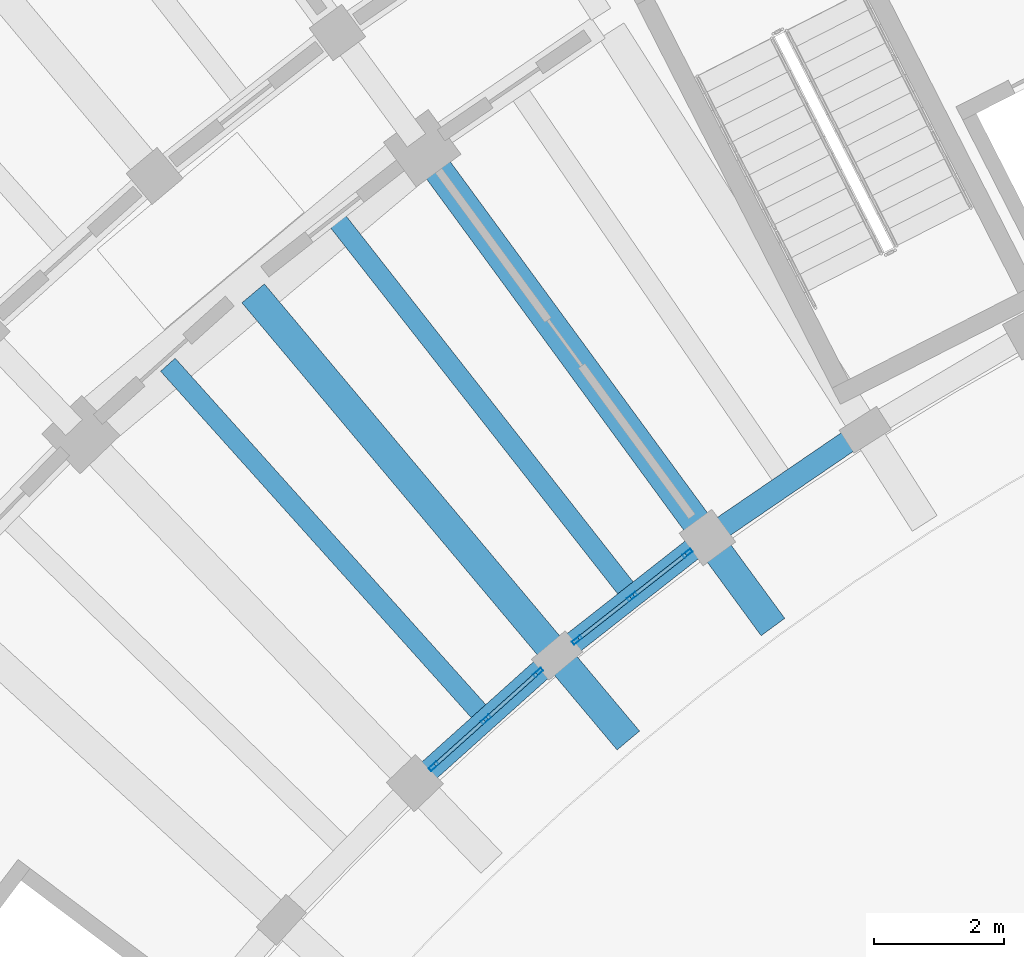
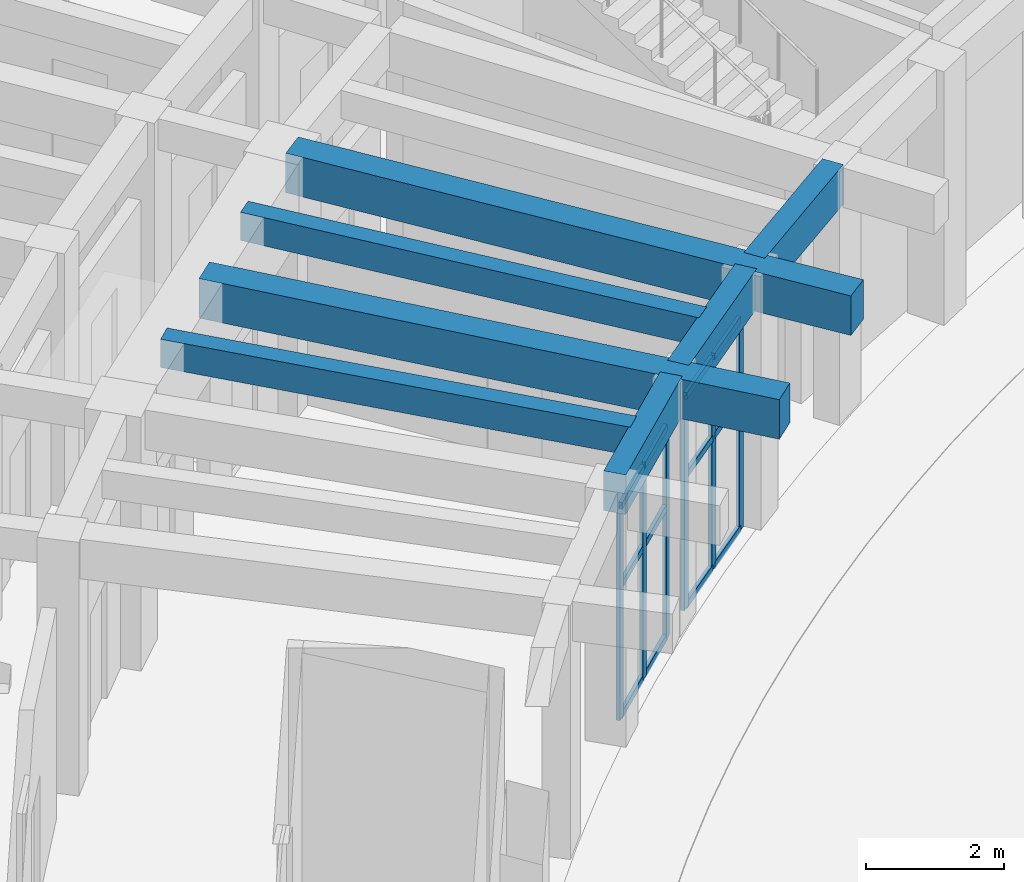
# One storey, part 39 of 132: 18 members, 7 beams, 2 elements without a shape of their own.
"""IFC4 building model written with IfcOpenShell, lengths in metres."""

from ifc_helpers import new_model, si_unit, direction, frame, origin, origin_2d, place, context, subcontext, project, spatial, rectangle, hollow_rectangle, extrude, material, material_profile, profile_set, type_object, element, aggregate, save


model = new_model("IFC4")

# Units and contexts
model_context = context("Model", 3, precision=1e-05, world=origin(), true_north=direction((0.0, 1.0)))
body_context = subcontext(model_context, "Body", "Model", "MODEL_VIEW")
ifc_project = project(units=[si_unit("LENGTHUNIT", "METRE"), si_unit("AREAUNIT", "SQUARE_METRE"), si_unit("VOLUMEUNIT", "CUBIC_METRE"), si_unit("PLANEANGLEUNIT", "RADIAN"), si_unit("MASSUNIT", "GRAM", prefix="KILO")], contexts=[model_context])

# Site, building, storey
site_placement = place(None, origin())
site = spatial("IfcSite", under=ifc_project, at=site_placement, CompositionType="ELEMENT")
building_placement = place(site_placement, origin())
building = spatial("IfcBuilding", under=site, at=building_placement, Name="Tanwirah Colonnade Gardens", CompositionType="ELEMENT")
storey_placement = place(building_placement, origin())
storey = spatial("IfcBuildingStorey", under=building, at=storey_placement, Name="L00", CompositionType="ELEMENT", Elevation=0.0)

# Beams
ifc_material_1 = material(Name="Precast concrete C45/55", Category="concrete")
ifc_material_profile_1 = material_profile(ifc_material_1, rectangle(XDim=0.449951171875, YDim=0.699951171875, at=origin_2d()), Name="PC-BM 450x700")
ifc_profile_set_1 = profile_set([ifc_material_profile_1], Name="Precast concrete C45/55")
beam_type_1 = type_object("IfcBeamType", Name="BM-PC450", PredefinedType="BEAM", material=ifc_profile_set_1)
for number, where, z_axis, x_axis, name in (
    (1, (34.449462890625, 101.907958984375, 4.135009765625), (0.590927205009, -0.806724883947, 0.0), (0.806724883947, 0.590927205009, 0.0), "Block A L00 Inner Radial Precast Girder 8"),
    (2, (31.767822265625, 99.804443359375, 4.135009765625), (0.64279407932, -0.766039014406, 0.0), (0.766039014406, 0.64279407932, 0.0), "Block A L00 Inner Radial Precast Girder 9"),
):
    element("IfcBeam", number, at=place(storey_placement, frame(where, z_axis=z_axis, x_axis=x_axis)), inside=storey, type_object=beam_type_1, Name=name, PredefinedType="BEAM", context=body_context, shape_type="SweptSolid", body=[
        extrude(rectangle(XDim=0.449951171875, YDim=0.699951171875, at=origin_2d()), origin(), (0.0, 0.0, 1.0), 8.949951171875),
    ])

# Curtain wall, members
ifc_material_2 = material(Name="Bronze-anodised aluminium and solar-control low-E glass", Category="aluminium")
curtain_wall_type = type_object("IfcCurtainWallType", Name="CW-GDN", PredefinedType="NOTDEFINED", material=ifc_material_2)
curtain_wall_1_placement = place(storey_placement, origin())
curtain_wall_1 = element("IfcCurtainWall", 3, at=curtain_wall_1_placement, inside=storey, type_object=curtain_wall_type, Name="Curtain Wall CW-A-L00-IN-08", PredefinedType="NOTDEFINED")
ifc_material_3 = material(Name="Bronze-anodised aluminium", Category="aluminium")
ifc_material_profile_2 = material_profile(ifc_material_3, hollow_rectangle(XDim=0.06005859375, YDim=0.159912109375, WallThickness=0.00390625, at=origin_2d()), Name="CW-MUL 60x160x4")
ifc_profile_set_2 = profile_set([ifc_material_profile_2], Name="Bronze-anodised aluminium")
member_type_1 = type_object("IfcMemberType", Name="CWM-60x160", PredefinedType="MULLION", material=ifc_profile_set_2)
member_1_placement = place(storey_placement, frame((38.4267578125, 95.818603515625, 0.0), z_axis=(0.0, 0.0, 1.0), x_axis=(0.617188542982, -0.786815291166, 0.0)))
member_1 = element("IfcMember", 4, at=member_1_placement, type_object=member_type_1, Name="CW-GDN mullion 1", PredefinedType="MULLION", context=body_context, shape_type="SweptSolid", body=[
    extrude(hollow_rectangle(XDim=0.06005859375, YDim=0.159912109375, WallThickness=0.00390625, at=origin_2d()), origin(), (0.0, 0.0, 1.0), 3.7548828125),
])
member_2_placement = place(storey_placement, frame((37.580810546875, 95.155029296875, 0.0), z_axis=(0.0, 0.0, 1.0), x_axis=(0.617188542982, -0.786815291166, 0.0)))
member_2 = element("IfcMember", 5, at=member_2_placement, type_object=member_type_1, Name="CW-GDN mullion 2", PredefinedType="MULLION", context=body_context, shape_type="SweptSolid", body=[
    extrude(hollow_rectangle(XDim=0.06005859375, YDim=0.159912109375, WallThickness=0.00390625, at=origin_2d()), origin(), (0.0, 0.0, 1.0), 3.7548828125),
])
member_3_placement = place(storey_placement, frame((36.73486328125, 94.491455078125, 0.0), z_axis=(0.0, 0.0, 1.0), x_axis=(0.617188542982, -0.786815291166, 0.0)))
member_3 = element("IfcMember", 6, at=member_3_placement, type_object=member_type_1, Name="CW-GDN mullion 3", PredefinedType="MULLION", context=body_context, shape_type="SweptSolid", body=[
    extrude(hollow_rectangle(XDim=0.06005859375, YDim=0.159912109375, WallThickness=0.00390625, at=origin_2d()), origin(), (0.0, 0.0, 1.0), 3.7548828125),
])

curtain_wall_2_placement = place(storey_placement, origin())
curtain_wall_2 = element("IfcCurtainWall", 7, at=curtain_wall_2_placement, inside=storey, type_object=curtain_wall_type, Name="Curtain Wall CW-A-L00-IN-09", PredefinedType="NOTDEFINED")
member_4_placement = place(storey_placement, frame((36.1376953125, 93.990234375, 0.0), z_axis=(0.0, 0.0, 1.0), x_axis=(0.667689182798, -0.744440162253, 0.0)))
member_4 = element("IfcMember", 8, at=member_4_placement, type_object=member_type_1, Name="CW-GDN mullion 1", PredefinedType="MULLION", context=body_context, shape_type="SweptSolid", body=[
    extrude(hollow_rectangle(XDim=0.06005859375, YDim=0.159912109375, WallThickness=0.00390625, at=origin_2d()), origin(), (0.0, 0.0, 1.0), 3.7548828125),
])
member_5_placement = place(storey_placement, frame((35.33740234375, 93.2724609375, 0.0), z_axis=(0.0, 0.0, 1.0), x_axis=(0.667689182798, -0.744440162253, 0.0)))
member_5 = element("IfcMember", 9, at=member_5_placement, type_object=member_type_1, Name="CW-GDN mullion 2", PredefinedType="MULLION", context=body_context, shape_type="SweptSolid", body=[
    extrude(hollow_rectangle(XDim=0.06005859375, YDim=0.159912109375, WallThickness=0.00390625, at=origin_2d()), origin(), (0.0, 0.0, 1.0), 3.7548828125),
])
member_6_placement = place(storey_placement, frame((34.537109375, 92.5546875, 0.0), z_axis=(0.0, 0.0, 1.0), x_axis=(0.667689182798, -0.744440162253, 0.0)))
member_6 = element("IfcMember", 10, at=member_6_placement, type_object=member_type_1, Name="CW-GDN mullion 3", PredefinedType="MULLION", context=body_context, shape_type="SweptSolid", body=[
    extrude(hollow_rectangle(XDim=0.06005859375, YDim=0.159912109375, WallThickness=0.00390625, at=origin_2d()), origin(), (0.0, 0.0, 1.0), 3.7548828125),
])

# Member
ifc_material_profile_3 = material_profile(ifc_material_3, hollow_rectangle(XDim=0.06005859375, YDim=0.1201171875, WallThickness=0.00390625, at=origin_2d()), Name="CW-TRN 60x120x4")
ifc_profile_set_3 = profile_set([ifc_material_profile_3], Name="Bronze-anodised aluminium")
member_type_2 = type_object("IfcMemberType", Name="CWT-60x120", PredefinedType="USERDEFINED", material=ifc_profile_set_3)
member_7_placement = place(storey_placement, frame((38.4033203125, 95.800048828125, 0.030029296875), z_axis=(-0.786768698357, -0.617247936639, 0.0), x_axis=(0.617247936639, -0.786768698357, 0.0)))
member_7 = element("IfcMember", 11, at=member_7_placement, type_object=member_type_2, Name="CW-GDN transom 1.1", ObjectType="TRANSOM", PredefinedType="USERDEFINED", context=body_context, shape_type="SweptSolid", body=[
    extrude(hollow_rectangle(XDim=0.06005859375, YDim=0.1201171875, WallThickness=0.00390625, at=origin_2d()), origin(), (0.0, 0.0, 1.0), 1.015380859375),
])

member_8_placement = place(storey_placement, frame((38.4033203125, 95.800048828125, 2.328125), z_axis=(-0.786768698357, -0.617247936639, 0.0), x_axis=(0.617247936639, -0.786768698357, 0.0)))
member_8 = element("IfcMember", 12, at=member_8_placement, type_object=member_type_2, Name="CW-GDN transom 1.2", ObjectType="TRANSOM", PredefinedType="USERDEFINED", context=body_context, shape_type="SweptSolid", body=[
    extrude(hollow_rectangle(XDim=0.06005859375, YDim=0.1201171875, WallThickness=0.00390625, at=origin_2d()), origin(), (0.0, 0.0, 1.0), 1.015380859375),
])

member_9_placement = place(storey_placement, frame((38.4033203125, 95.800048828125, 3.72509765625), z_axis=(-0.786768698357, -0.617247936639, 0.0), x_axis=(0.617247936639, -0.786768698357, 0.0)))
member_9 = element("IfcMember", 13, at=member_9_placement, type_object=member_type_2, Name="CW-GDN transom 1.3", ObjectType="TRANSOM", PredefinedType="USERDEFINED", context=body_context, shape_type="SweptSolid", body=[
    extrude(hollow_rectangle(XDim=0.06005859375, YDim=0.1201171875, WallThickness=0.00390625, at=origin_2d()), origin(), (0.0, 0.0, 1.0), 1.015380859375),
])

member_10_placement = place(storey_placement, frame((37.557373046875, 95.136474609375, 0.030029296875), z_axis=(-0.786885474084, -0.617099060666, 0.0), x_axis=(0.617099060666, -0.786885474084, 0.0)))
member_10 = element("IfcMember", 14, at=member_10_placement, type_object=member_type_2, Name="CW-GDN transom 2.1", ObjectType="TRANSOM", PredefinedType="USERDEFINED", context=body_context, shape_type="SweptSolid", body=[
    extrude(hollow_rectangle(XDim=0.06005859375, YDim=0.1201171875, WallThickness=0.00390625, at=origin_2d()), origin(), (0.0, 0.0, 1.0), 1.01513671875),
])

member_11_placement = place(storey_placement, frame((37.557373046875, 95.136474609375, 2.328125), z_axis=(-0.786885474084, -0.617099060666, 0.0), x_axis=(0.617099060666, -0.786885474084, 0.0)))
member_11 = element("IfcMember", 15, at=member_11_placement, type_object=member_type_2, Name="CW-GDN transom 2.2", ObjectType="TRANSOM", PredefinedType="USERDEFINED", context=body_context, shape_type="SweptSolid", body=[
    extrude(hollow_rectangle(XDim=0.06005859375, YDim=0.1201171875, WallThickness=0.00390625, at=origin_2d()), origin(), (0.0, 0.0, 1.0), 1.01513671875),
])

member_12_placement = place(storey_placement, frame((37.557373046875, 95.136474609375, 3.72509765625), z_axis=(-0.786885474084, -0.617099060666, 0.0), x_axis=(0.617099060666, -0.786885474084, 0.0)))
member_12 = element("IfcMember", 16, at=member_12_placement, type_object=member_type_2, Name="CW-GDN transom 2.3", ObjectType="TRANSOM", PredefinedType="USERDEFINED", context=body_context, shape_type="SweptSolid", body=[
    extrude(hollow_rectangle(XDim=0.06005859375, YDim=0.1201171875, WallThickness=0.00390625, at=origin_2d()), origin(), (0.0, 0.0, 1.0), 1.01513671875),
])

aggregate(curtain_wall_1, [member_1, member_2, member_3, member_7, member_8, member_9, member_10, member_11, member_12])

member_13_placement = place(storey_placement, frame((36.115478515625, 93.97021484375, 0.030029296875), z_axis=(-0.744536466411, -0.66758179288, 0.0), x_axis=(0.66758179288, -0.744536466411, 0.0)))
member_13 = element("IfcMember", 17, at=member_13_placement, type_object=member_type_2, Name="CW-GDN transom 1.1", ObjectType="TRANSOM", PredefinedType="USERDEFINED", context=body_context, shape_type="SweptSolid", body=[
    extrude(hollow_rectangle(XDim=0.06005859375, YDim=0.1201171875, WallThickness=0.00390625, at=origin_2d()), origin(), (0.0, 0.0, 1.0), 1.01513671875),
])

member_14_placement = place(storey_placement, frame((36.115478515625, 93.97021484375, 2.328125), z_axis=(-0.744536466411, -0.66758179288, 0.0), x_axis=(0.66758179288, -0.744536466411, 0.0)))
member_14 = element("IfcMember", 18, at=member_14_placement, type_object=member_type_2, Name="CW-GDN transom 1.2", ObjectType="TRANSOM", PredefinedType="USERDEFINED", context=body_context, shape_type="SweptSolid", body=[
    extrude(hollow_rectangle(XDim=0.06005859375, YDim=0.1201171875, WallThickness=0.00390625, at=origin_2d()), origin(), (0.0, 0.0, 1.0), 1.01513671875),
])

member_15_placement = place(storey_placement, frame((36.115478515625, 93.97021484375, 3.72509765625), z_axis=(-0.744536466411, -0.66758179288, 0.0), x_axis=(0.66758179288, -0.744536466411, 0.0)))
member_15 = element("IfcMember", 19, at=member_15_placement, type_object=member_type_2, Name="CW-GDN transom 1.3", ObjectType="TRANSOM", PredefinedType="USERDEFINED", context=body_context, shape_type="SweptSolid", body=[
    extrude(hollow_rectangle(XDim=0.06005859375, YDim=0.1201171875, WallThickness=0.00390625, at=origin_2d()), origin(), (0.0, 0.0, 1.0), 1.01513671875),
])

member_16_placement = place(storey_placement, frame((35.31494140625, 93.25244140625, 0.030029296875), z_axis=(-0.744429262498, -0.667701335281, 0.0), x_axis=(0.667701335281, -0.744429262498, 0.0)))
member_16 = element("IfcMember", 20, at=member_16_placement, type_object=member_type_2, Name="CW-GDN transom 2.1", ObjectType="TRANSOM", PredefinedType="USERDEFINED", context=body_context, shape_type="SweptSolid", body=[
    extrude(hollow_rectangle(XDim=0.06005859375, YDim=0.1201171875, WallThickness=0.00390625, at=origin_2d()), origin(), (0.0, 0.0, 1.0), 1.01513671875),
])

member_17_placement = place(storey_placement, frame((35.31494140625, 93.25244140625, 2.328125), z_axis=(-0.744429262498, -0.667701335281, 0.0), x_axis=(0.667701335281, -0.744429262498, 0.0)))
member_17 = element("IfcMember", 21, at=member_17_placement, type_object=member_type_2, Name="CW-GDN transom 2.2", ObjectType="TRANSOM", PredefinedType="USERDEFINED", context=body_context, shape_type="SweptSolid", body=[
    extrude(hollow_rectangle(XDim=0.06005859375, YDim=0.1201171875, WallThickness=0.00390625, at=origin_2d()), origin(), (0.0, 0.0, 1.0), 1.01513671875),
])

member_18_placement = place(storey_placement, frame((35.31494140625, 93.25244140625, 3.72509765625), z_axis=(-0.744429262498, -0.667701335281, 0.0), x_axis=(0.667701335281, -0.744429262498, 0.0)))
member_18 = element("IfcMember", 22, at=member_18_placement, type_object=member_type_2, Name="CW-GDN transom 2.3", ObjectType="TRANSOM", PredefinedType="USERDEFINED", context=body_context, shape_type="SweptSolid", body=[
    extrude(hollow_rectangle(XDim=0.06005859375, YDim=0.1201171875, WallThickness=0.00390625, at=origin_2d()), origin(), (0.0, 0.0, 1.0), 1.01513671875),
])

aggregate(curtain_wall_2, [member_4, member_5, member_6, member_13, member_14, member_15, member_16, member_17, member_18])

# Beams
ifc_material_4 = material(Name="Precast concrete C40/50", Category="concrete")
ifc_material_profile_4 = material_profile(ifc_material_4, rectangle(XDim=0.300048828125, YDim=0.5, at=origin_2d()), Name="PC-JST 300x500")
ifc_profile_set_4 = profile_set([ifc_material_profile_4], Name="Precast concrete C40/50")
beam_type_2 = type_object("IfcBeamType", Name="JST-PC300", PredefinedType="JOIST", material=ifc_profile_set_4)
beam_1_placement = place(storey_placement, frame((37.491943359375, 95.268310546875, 4.235107421875), z_axis=(-0.617202438917, 0.786804390808, 0.0), x_axis=(-0.786804390808, -0.617202438917, 0.0)))
element("IfcBeam", 23, at=beam_1_placement, inside=storey, type_object=beam_type_2, Name="Block A L00 Inner Precast Floor Joist 8", PredefinedType="JOIST", context=body_context, shape_type="SweptSolid", body=[
    extrude(rectangle(XDim=0.300048828125, YDim=0.5, at=origin_2d()), origin(), (0.0, 0.0, 1.0), 7.159912109375),
])
beam_2_placement = place(storey_placement, frame((35.2412109375, 93.379638671875, 4.235107421875), z_axis=(-0.667688404274, 0.744440860511, 0.0), x_axis=(-0.744440860511, -0.667688404274, 0.0)))
element("IfcBeam", 24, at=beam_2_placement, inside=storey, type_object=beam_type_2, Name="Block A L00 Inner Precast Floor Joist 9", PredefinedType="JOIST", context=body_context, shape_type="SweptSolid", body=[
    extrude(rectangle(XDim=0.300048828125, YDim=0.5, at=origin_2d()), origin(), (0.0, 0.0, 1.0), 7.16015625),
])
ifc_material_profile_5 = material_profile(ifc_material_1, rectangle(XDim=0.340087890625, YDim=0.699951171875, at=origin_2d()), Name="PC-SP 340x700")
ifc_profile_set_5 = profile_set([ifc_material_profile_5], Name="Precast concrete C45/55")
beam_type_3 = type_object("IfcBeamType", Name="SP-PC340", PredefinedType="SPANDREL", material=ifc_profile_set_5)
for number, where, z_axis, x_axis, name in (
    (25, (41.029541015625, 97.627197265625, 4.135009765625), (-0.825800981874, -0.563961646158, 0.0), (0.563961646158, -0.825800981874, 0.0), "Block A L00 Circumferential Beam 7-R0"),
    (26, (38.61572265625, 95.966552734375, 4.135009765625), (-0.786836625031, -0.617161344795, 0.0), (0.617161344795, -0.786836625031, 0.0), "Block A L00 Circumferential Beam 8-R0"),
    (27, (36.31640625, 94.150634765625, 4.135009765625), (-0.744400790288, -0.667733077972, 0.0), (0.667733077972, -0.744400790288, 0.0), "Block A L00 Circumferential Beam 9-R0"),
):
    element("IfcBeam", number, at=place(storey_placement, frame(where, z_axis=z_axis, x_axis=x_axis)), inside=storey, type_object=beam_type_3, Name=name, PredefinedType="SPANDREL", context=body_context, shape_type="SweptSolid", body=[
        extrude(rectangle(XDim=0.340087890625, YDim=0.699951171875, at=origin_2d()), origin(), (0.0, 0.0, 1.0), 2.63037109375),
    ])

save(model, "model.ifc")
